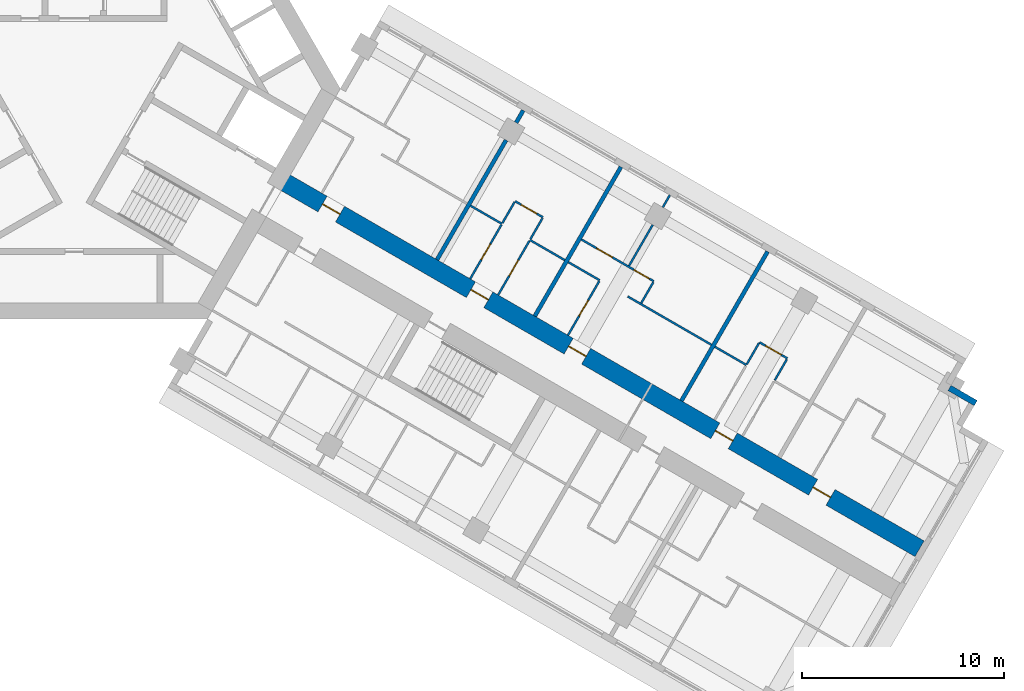
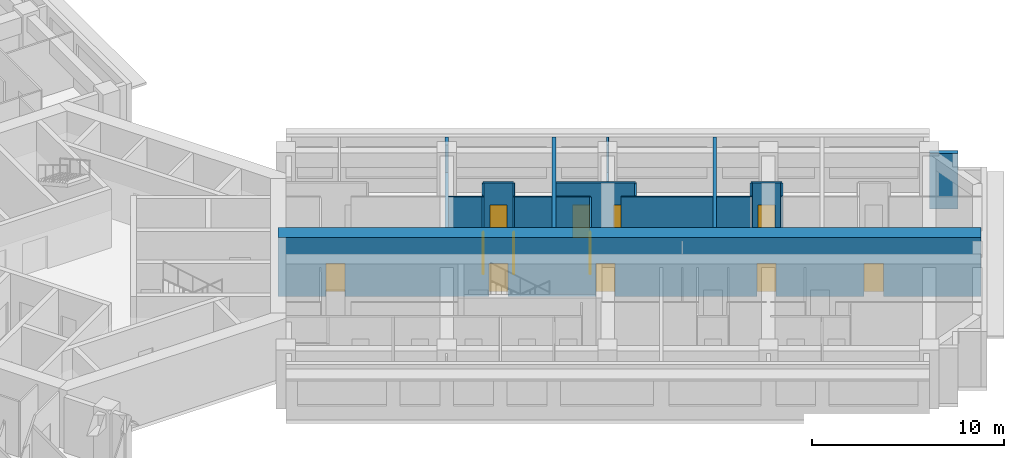
# One storey, part 12 of 15: 24 walls, 12 doors, 12 openings.
"""IFC4 building model written with IfcOpenShell, lengths in metres."""

import ifcopenshell
import ifcopenshell.guid

model = None  # the IFC model being written
_history = None  # IfcOwnerHistory: only IFC2X3 demands one
_inside = {}  # id of a spatial element -> (the spatial element, [elements in it])
_under = {}  # id of a project, library or spatial element -> (it, [spatial elements below it])
_declared = {}  # id of a project -> (the project, [libraries it declares])
_typed = {}  # id of a type object -> (the type object, [elements of that type])
_made_of = {}  # id of a material, layer set ... -> (it, [elements and type objects made of it])


def new_model(schema):
    """Start an empty IFC model of exactly this schema.

    Asked for "IFC4X3", IfcOpenShell would pick the latest addendum, in which some entities
    have other attributes; the version numbers below select the first issue.
    IFC2X3 requires an IfcOwnerHistory on every rooted entity: one is made here for all.
    """
    global model, _history
    if schema == "IFC4X3":
        model = ifcopenshell.file(schema_version=(4, 3, 0, 0))
    else:
        model = ifcopenshell.file(schema=schema)
    _inside.clear()
    _under.clear()
    _declared.clear()
    _typed.clear()
    _made_of.clear()
    _history = None
    if model.schema == "IFC2X3":
        org = make("IfcOrganization", Name="unknown")
        user = make(
            "IfcPersonAndOrganization",
            ThePerson=make("IfcPerson", FamilyName="unknown"),
            TheOrganization=org,
        )
        app = make(
            "IfcApplication",
            ApplicationDeveloper=org,
            Version="unknown",
            ApplicationFullName="unknown",
            ApplicationIdentifier="unknown",
        )
        _history = make(
            "IfcOwnerHistory",
            OwningUser=user,
            OwningApplication=app,
            ChangeAction="ADDED",
            CreationDate=0,
        )
    return model


def make(cls, **values):
    """One entity of the class cls with the attributes given. An attribute that is None is left unset."""
    return model.create_entity(
        cls, **{name: value for name, value in values.items() if value is not None}
    )


def rooted(cls, **values):
    """An entity with a GlobalId (a new one), such as an element, a storey or a relation."""
    return make(cls, GlobalId=ifcopenshell.guid.new(), OwnerHistory=_history, **values)


def si_unit(unit_type, name, prefix=None):
    """IfcSIUnit, for example si_unit("LENGTHUNIT", "METRE", prefix="MILLI")."""
    return make("IfcSIUnit", UnitType=unit_type, Prefix=prefix, Name=name)


def assignment(units):
    """IfcUnitAssignment: the units of a project."""
    return None if units is None else make("IfcUnitAssignment", Units=units)


def point(xyz):
    """IfcCartesianPoint."""
    return None if xyz is None else make("IfcCartesianPoint", Coordinates=xyz)


def direction(xyz):
    """IfcDirection."""
    return None if xyz is None else make("IfcDirection", DirectionRatios=xyz)


def frame(location, z_axis=None, x_axis=None):
    """IfcAxis2Placement3D, a coordinate frame: its origin and axes. An axis left out is left unset."""
    return make(
        "IfcAxis2Placement3D",
        Location=point(location),
        Axis=direction(z_axis),
        RefDirection=direction(x_axis),
    )


def frame_2d(location, x_axis=None):
    """IfcAxis2Placement2D, a coordinate frame in the plane: its origin and x axis."""
    return make(
        "IfcAxis2Placement2D", Location=point(location), RefDirection=direction(x_axis)
    )


def origin():
    """The frame at (0, 0, 0) with its axes left unset."""
    return frame((0.0, 0.0, 0.0))


def place(relative_to, where):
    """IfcLocalPlacement: puts the frame where relative to a parent placement (None: the world)."""
    return make(
        "IfcLocalPlacement", PlacementRelTo=relative_to, RelativePlacement=where
    )


def context(
    kind, dimensions, precision=None, world=None, true_north=None, identifier=None
):
    """IfcGeometricRepresentationContext, for example the 3D "Model" context."""
    return make(
        "IfcGeometricRepresentationContext",
        ContextIdentifier=identifier,
        ContextType=kind,
        CoordinateSpaceDimension=dimensions,
        Precision=precision,
        WorldCoordinateSystem=world,
        TrueNorth=true_north,
    )


def subcontext(parent, identifier, kind, view, scale=None):
    """IfcGeometricRepresentationSubContext, for example "Body" below "Model"."""
    return make(
        "IfcGeometricRepresentationSubContext",
        ContextIdentifier=identifier,
        ContextType=kind,
        ParentContext=parent,
        TargetScale=scale,
        TargetView=view,
    )


def project(units=None, contexts=None):
    """IfcProject with its units and contexts."""
    return rooted(
        "IfcProject",
        Name="project",
        RepresentationContexts=contexts,
        UnitsInContext=assignment(units),
    )


def spatial(cls, under=None, at=None, **own):
    """A site, building, storey or space (cls), placed at a placement, below another one or the project."""
    s = rooted(cls, ObjectPlacement=at, **own)
    if under is not None:
        _under.setdefault(under.id(), (under, []))[1].append(s)
    return s


def profile(cls, at=None, kind="AREA", **sizes):
    """A parametric profile (cls). Its sizes go by their IFC names, for example OverallWidth=200.0."""
    return make(cls, ProfileType=kind, Position=at, **sizes)


def rectangle(**sizes):
    """IfcRectangleProfileDef."""
    return profile("IfcRectangleProfileDef", **sizes)


def extrude(swept, where, along, depth):
    """IfcExtrudedAreaSolid: the profile swept, set in the frame where, extruded along a direction by depth."""
    return make(
        "IfcExtrudedAreaSolid",
        SweptArea=swept,
        Position=where,
        ExtrudedDirection=direction(along),
        Depth=depth,
    )


def shape(context_of_items, identifier, shape_type, items):
    """IfcShapeRepresentation: the items that make up one representation, for example the "Body"."""
    return make(
        "IfcShapeRepresentation",
        ContextOfItems=context_of_items,
        RepresentationIdentifier=identifier,
        RepresentationType=shape_type,
        Items=items,
    )


def material(Name=None, Category=None):
    """IfcMaterial."""
    return make("IfcMaterial", Name=Name, Category=Category)


def layer(
    of_material, thickness, ventilated=None, Name=None, Category=None, Priority=None
):
    """IfcMaterialLayer: one layer of a wall or slab, of a material (None: an air gap)."""
    return make(
        "IfcMaterialLayer",
        Material=of_material,
        LayerThickness=thickness,
        IsVentilated=ventilated,
        Name=Name,
        Category=Category,
        Priority=Priority,
    )


def layer_set(layers, Name=None):
    """IfcMaterialLayerSet."""
    return make("IfcMaterialLayerSet", MaterialLayers=layers, LayerSetName=Name)


def made_of(thing, what):
    """Note that an element or type object is made of a material, layer set ...; save() writes the relation."""
    if what is not None:
        _made_of.setdefault(what.id(), (what, []))[1].append(thing)
    return thing


def type_object(cls, material=None, **own):
    """A type object (cls), such as IfcWallType, which elements share."""
    return made_of(rooted(cls, **own), material)


def element(
    cls,
    number,
    at=None,
    inside=None,
    cuts=None,
    type_object=None,
    material=None,
    context=None,
    identifier="Body",
    shape_type=None,
    held_by="IfcProductDefinitionShape",
    body=None,
    shapes=None,
    **own,
):
    """One element of the class cls, such as IfcWall. Its Tag is "e" and its number.

    at: its placement. inside: the storey or other place that contains it. cuts: it is an
    opening in that element (IfcRelVoidsElement). A single representation is given by context,
    identifier, shape_type and body (its items); several are given by shapes. held_by: the class
    of the entity that holds the representations. save() writes the other relations.
    """
    e = rooted(cls, Tag="e%d" % number, ObjectPlacement=at, **own)
    if body is not None:
        shapes = [shape(context, identifier, shape_type, body)]
    if shapes is not None:
        e.Representation = make(held_by, Representations=shapes)
    if inside is not None:
        _inside.setdefault(inside.id(), (inside, []))[1].append(e)
    if cuts is not None:
        rooted(
            "IfcRelVoidsElement", RelatingBuildingElement=cuts, RelatedOpeningElement=e
        )
    if type_object is not None:
        _typed.setdefault(type_object.id(), (type_object, []))[1].append(e)
    return made_of(e, material)


def fill(opening, filler):
    """IfcRelFillsElement: the door or window that sits in an opening."""
    return rooted(
        "IfcRelFillsElement",
        RelatingOpeningElement=opening,
        RelatedBuildingElement=filler,
    )


def aggregate(whole, parts):
    """IfcRelAggregates: a whole, such as a stair, and the parts it consists of."""
    return rooted("IfcRelAggregates", RelatingObject=whole, RelatedObjects=parts)


def save(model, path):
    """Write the relations noted so far, then the file.

    IfcRelAggregates (storeys below a building ...), IfcRelContainedInSpatialStructure (elements
    in a storey), IfcRelDefinesByType, IfcRelAssociatesMaterial and IfcRelDeclares: one each for
    every whole, place, type object, material and project.
    """
    for whole, parts in _under.values():
        aggregate(whole, parts)
    for where, things in _inside.values():
        rooted(
            "IfcRelContainedInSpatialStructure",
            RelatedElements=things,
            RelatingStructure=where,
        )
    for kind, things in _typed.values():
        rooted("IfcRelDefinesByType", RelatedObjects=things, RelatingType=kind)
    for what, things in _made_of.values():
        rooted("IfcRelAssociatesMaterial", RelatedObjects=things, RelatingMaterial=what)
    for by, libraries in _declared.values():
        rooted("IfcRelDeclares", RelatingContext=by, RelatedDefinitions=libraries)
    model.write(path)


model = new_model("IFC4")

# Units and contexts
model_context = context("Model", 3, precision=1e-05, world=origin(), true_north=direction((0.0, 1.0)))
body_context = subcontext(model_context, "Body", "Model", "MODEL_VIEW")
ifc_project = project(units=[si_unit("LENGTHUNIT", "METRE"), si_unit("AREAUNIT", "SQUARE_METRE"), si_unit("VOLUMEUNIT", "CUBIC_METRE"), si_unit("PLANEANGLEUNIT", "RADIAN"), si_unit("MASSUNIT", "GRAM", prefix="KILO")], contexts=[model_context])

# Site, building, storey
site_placement = place(None, origin())
site = spatial("IfcSite", under=ifc_project, at=site_placement, CompositionType="ELEMENT")
building_placement = place(site_placement, origin())
building = spatial("IfcBuilding", under=site, at=building_placement, Name="Impinga Residences", CompositionType="ELEMENT")
storey_placement = place(building_placement, frame((0.0, 0.0, 113.5)))
storey = spatial("IfcBuildingStorey", under=building, at=storey_placement, Name="L27", CompositionType="ELEMENT", Elevation=113.5)

# Wall, openings, doors
ifc_material_1 = material(Name="Concrete C60/75", Category="concrete")
ifc_layer_1 = layer(ifc_material_1, 0.89990234375)
ifc_layer_set_1 = layer_set([ifc_layer_1], Name="Concrete C60/75")
wall_type_1 = type_object("IfcWallType", Name="BW2 corridor buttress wall, L24 to L44 900", PredefinedType="SHEAR", material=ifc_layer_set_1)
wall_1_placement = place(storey_placement, frame((10.153564453125, -4.4765625, 0.0), z_axis=(0.0, 0.0, 1.0), x_axis=(0.866027614434, -0.499996171023, 0.0)))
wall_1 = element("IfcWall", 1, at=wall_1_placement, inside=storey, type_object=wall_type_1, Name="Corridor wall BW2 EC L27", PredefinedType="SHEAR", context=body_context, shape_type="SweptSolid", body=[
    extrude(rectangle(XDim=36.699951171875, YDim=0.89990234375, at=frame_2d((18.35009765625, 0.0))), origin(), (0.0, 0.0, 1.0), 3.75),
])
opening_1_placement = place(wall_1_placement, frame((2.5, 0.0, 0.0)))
opening_1 = element("IfcOpeningElement", 2, at=opening_1_placement, cuts=wall_1, Name="Opening D1", PredefinedType="OPENING", context=body_context, shape_type="SweptSolid", body=[
    extrude(rectangle(XDim=1.0, YDim=2.10009765625, at=frame_2d((0.5, 1.050048828125))), frame((0.0, 0.4599609375, 0.0), z_axis=(0.0, -1.0, 0.0), x_axis=(1.0, 0.0, 0.0)), (0.0, 0.0, 1.0), 0.919921875),
])
opening_2_placement = place(wall_1_placement, frame((11.0, 0.0, 0.0)))
opening_2 = element("IfcOpeningElement", 3, at=opening_2_placement, cuts=wall_1, Name="Opening D1", PredefinedType="OPENING", context=body_context, shape_type="SweptSolid", body=[
    extrude(rectangle(XDim=1.0, YDim=2.10009765625, at=frame_2d((0.5, 1.050048828125))), frame((0.0, 0.4599609375, 0.0), z_axis=(0.0, -1.0, 0.0), x_axis=(1.0, 0.0, 0.0)), (0.0, 0.0, 1.0), 0.919921875),
])
opening_3_placement = place(wall_1_placement, frame((16.60009765625, 0.0, 0.0)))
opening_3 = element("IfcOpeningElement", 4, at=opening_3_placement, cuts=wall_1, Name="Opening D1", PredefinedType="OPENING", context=body_context, shape_type="SweptSolid", body=[
    extrude(rectangle(XDim=1.0, YDim=2.10009765625, at=frame_2d((0.5, 1.050048828125))), frame((0.0, 0.4599609375, 0.0), z_axis=(0.0, -1.0, 0.0), x_axis=(1.0, 0.0, 0.0)), (0.0, 0.0, 1.0), 0.919921875),
])
opening_4_placement = place(wall_1_placement, frame((25.0, 0.0, 0.0)))
opening_4 = element("IfcOpeningElement", 5, at=opening_4_placement, cuts=wall_1, Name="Opening D1", PredefinedType="OPENING", context=body_context, shape_type="SweptSolid", body=[
    extrude(rectangle(XDim=1.0, YDim=2.10009765625, at=frame_2d((0.5, 1.050048828125))), frame((0.0, 0.4599609375, 0.0), z_axis=(0.0, -1.0, 0.0), x_axis=(1.0, 0.0, 0.0)), (0.0, 0.0, 1.0), 0.919921875),
])
opening_5_placement = place(wall_1_placement, frame((30.60009765625, 0.0, 0.0)))
opening_5 = element("IfcOpeningElement", 6, at=opening_5_placement, cuts=wall_1, Name="Opening D1", PredefinedType="OPENING", context=body_context, shape_type="SweptSolid", body=[
    extrude(rectangle(XDim=1.0, YDim=2.10009765625, at=frame_2d((0.5, 1.050048828125))), frame((0.0, 0.4599609375, 0.0), z_axis=(0.0, -1.0, 0.0), x_axis=(1.0, 0.0, 0.0)), (0.0, 0.0, 1.0), 0.919921875),
])
ifc_material_2 = material(Name="Timber door set", Category="wood")
door_type_1 = type_object("IfcDoorType", Name="D1 apartment entrance door 1000x2100", OperationType="SINGLE_SWING_LEFT", PredefinedType="DOOR", material=ifc_material_2)
door_1_placement = place(opening_1_placement, origin())
door_1 = element("IfcDoor", 7, at=door_1_placement, inside=storey, type_object=door_type_1, Name="Apartment L27-EA1 entrance", OperationType="SINGLE_SWING_LEFT", OverallHeight=2.10009765625, OverallWidth=1.0, PredefinedType="DOOR", context=body_context, shape_type="SweptSolid", body=[
    extrude(rectangle(XDim=1.0, YDim=2.10009765625, at=frame_2d((0.5, 1.050048828125))), frame((0.0, 0.02490234375, 0.0), z_axis=(0.0, -1.0, 0.0), x_axis=(1.0, 0.0, 0.0)), (0.0, 0.0, 1.0), 0.050048828125),
])
fill(opening_1, door_1)
door_2_placement = place(opening_2_placement, origin())
door_2 = element("IfcDoor", 8, at=door_2_placement, inside=storey, type_object=door_type_1, Name="Apartment L27-EA2 entrance", OperationType="SINGLE_SWING_LEFT", OverallHeight=2.10009765625, OverallWidth=1.0, PredefinedType="DOOR", context=body_context, shape_type="SweptSolid", body=[
    extrude(rectangle(XDim=1.0, YDim=2.10009765625, at=frame_2d((0.5, 1.050048828125))), frame((0.0, 0.02490234375, 0.0), z_axis=(0.0, -1.0, 0.0), x_axis=(1.0, 0.0, 0.0)), (0.0, 0.0, 1.0), 0.050048828125),
])
fill(opening_2, door_2)
door_3_placement = place(opening_3_placement, origin())
door_3 = element("IfcDoor", 9, at=door_3_placement, inside=storey, type_object=door_type_1, Name="Apartment L27-EA3 entrance", OperationType="SINGLE_SWING_LEFT", OverallHeight=2.10009765625, OverallWidth=1.0, PredefinedType="DOOR", context=body_context, shape_type="SweptSolid", body=[
    extrude(rectangle(XDim=1.0, YDim=2.10009765625, at=frame_2d((0.5, 1.050048828125))), frame((0.0, 0.02490234375, 0.0), z_axis=(0.0, -1.0, 0.0), x_axis=(1.0, 0.0, 0.0)), (0.0, 0.0, 1.0), 0.050048828125),
])
fill(opening_3, door_3)
door_4_placement = place(opening_4_placement, origin())
door_4 = element("IfcDoor", 10, at=door_4_placement, inside=storey, type_object=door_type_1, Name="Apartment L27-EA4 entrance", OperationType="SINGLE_SWING_RIGHT", OverallHeight=2.10009765625, OverallWidth=1.0, PredefinedType="DOOR", context=body_context, shape_type="SweptSolid", body=[
    extrude(rectangle(XDim=1.0, YDim=2.10009765625, at=frame_2d((0.5, 1.050048828125))), frame((0.0, 0.02490234375, 0.0), z_axis=(0.0, -1.0, 0.0), x_axis=(1.0, 0.0, 0.0)), (0.0, 0.0, 1.0), 0.050048828125),
])
fill(opening_4, door_4)
door_5_placement = place(opening_5_placement, origin())
door_5 = element("IfcDoor", 11, at=door_5_placement, inside=storey, type_object=door_type_1, Name="Apartment L27-EA5 entrance", OperationType="SINGLE_SWING_RIGHT", OverallHeight=2.10009765625, OverallWidth=1.0, PredefinedType="DOOR", context=body_context, shape_type="SweptSolid", body=[
    extrude(rectangle(XDim=1.0, YDim=2.10009765625, at=frame_2d((0.5, 1.050048828125))), frame((0.0, 0.02490234375, 0.0), z_axis=(0.0, -1.0, 0.0), x_axis=(1.0, 0.0, 0.0)), (0.0, 0.0, 1.0), 0.050048828125),
])
fill(opening_5, door_5)

# Walls
ifc_material_3 = material(Name="Terracotta rainscreen on blockwork", Category="masonry")
ifc_layer_2 = layer(ifc_material_3, 0.300048828125)
ifc_layer_set_2 = layer_set([ifc_layer_2], Name="EW1 external wall, terracotta rainscreen on blockwork 300")
wall_type_2 = type_object("IfcWallType", Name="EW1 external wall, terracotta rainscreen on blockwork 300", PredefinedType="SOLIDWALL", material=ifc_layer_set_2)
wall_2_placement = place(storey_placement, frame((43.42333984375, -14.8515625, 0.0), z_axis=(0.0, 0.0, 1.0), x_axis=(0.866031096941, -0.499990139034, 0.0)))
element("IfcWall", 12, at=wall_2_placement, inside=storey, type_object=wall_type_2, Name="External wall EW1 L27", PredefinedType="SOLIDWALL", context=body_context, shape_type="SweptSolid", body=[
    extrude(rectangle(XDim=1.5, YDim=0.300048828125, at=frame_2d((0.75, 0.0))), origin(), (0.0, 0.0, 1.0), 3.530029296875),
])
ifc_material_4 = material(Name="Gypsum board on steel studs", Category="steel")
ifc_layer_3 = layer(ifc_material_4, 0.10009765625)
ifc_layer_set_3 = layer_set([ifc_layer_3], Name="Gypsum board on steel studs")
wall_type_3 = type_object("IfcWallType", Name="IP1 partition 100", PredefinedType="PARTITIONING", material=ifc_layer_set_3)
wall_3_placement = place(storey_placement, frame((19.6611328125, -5.808837890625, 0.0), z_axis=(0.0, 0.0, 1.0), x_axis=(0.866047807691, -0.499961193289, 0.0)))
element("IfcWall", 13, at=wall_3_placement, inside=storey, type_object=wall_type_3, Name="Partition L27-EA2:DIV0", PredefinedType="PARTITIONING", context=body_context, shape_type="SweptSolid", body=[
    extrude(rectangle(XDim=1.800048828125, YDim=0.10009765625, at=frame_2d((0.89990234375, 0.0))), origin(), (0.0, 0.0, 1.0), 3.530029296875),
])
wall_4_placement = place(storey_placement, frame((22.605712890625, -7.5087890625, 0.0), z_axis=(0.0, 0.0, 1.0), x_axis=(0.866010750942, -0.50002537861, 0.0)))
element("IfcWall", 14, at=wall_4_placement, inside=storey, type_object=wall_type_3, Name="Partition L27-EA2:DIV1", PredefinedType="PARTITIONING", context=body_context, shape_type="SweptSolid", body=[
    extrude(rectangle(XDim=2.0, YDim=0.10009765625, at=frame_2d((1.0, 0.0))), origin(), (0.0, 0.0, 1.0), 3.530029296875),
])

# Wall, opening, door
wall_5_placement = place(storey_placement, frame((21.8701171875, -5.5830078125, 0.0), z_axis=(0.0, 0.0, 1.0), x_axis=(0.865989903783, -0.500061482766, 0.0)))
wall_5 = element("IfcWall", 15, at=wall_5_placement, inside=storey, type_object=wall_type_3, Name="Partition L27-EA2:STRIP", PredefinedType="PARTITIONING", context=body_context, shape_type="SweptSolid", body=[
    extrude(rectangle(XDim=1.599853515625, YDim=0.10009765625, at=frame_2d((0.7998046875, 0.0))), origin(), (0.0, 0.0, 1.0), 3.530029296875),
])
opening_6_placement = place(wall_5_placement, frame((0.35009765625, 0.0, 0.0)))
opening_6 = element("IfcOpeningElement", 16, at=opening_6_placement, cuts=wall_5, Name="Opening D2", PredefinedType="OPENING", context=body_context, shape_type="SweptSolid", body=[
    extrude(rectangle(XDim=0.89990234375, YDim=2.10009765625, at=frame_2d((0.449951171875, 1.050048828125))), frame((0.0, 0.06005859375, 0.0), z_axis=(0.0, -1.0, 0.0), x_axis=(1.0, 0.0, 0.0)), (0.0, 0.0, 1.0), 0.1201171875),
])
door_type_2 = type_object("IfcDoorType", Name="D2 internal door 900x2100", OperationType="SINGLE_SWING_LEFT", PredefinedType="DOOR", material=ifc_material_2)
door_6_placement = place(opening_6_placement, origin())
door_6 = element("IfcDoor", 17, at=door_6_placement, inside=storey, type_object=door_type_2, Name="Apartment L27-EA2 room door", OperationType="SINGLE_SWING_LEFT", OverallHeight=2.10009765625, OverallWidth=0.89990234375, PredefinedType="DOOR", context=body_context, shape_type="SweptSolid", body=[
    extrude(rectangle(XDim=0.89990234375, YDim=2.10009765625, at=frame_2d((0.449951171875, 1.050048828125))), frame((0.0, 0.02490234375, 0.0), z_axis=(0.0, -1.0, 0.0), x_axis=(1.0, 0.0, 0.0)), (0.0, 0.0, 1.0), 0.050048828125),
])
fill(opening_6, door_6)

# Walls
wall_6_placement = place(storey_placement, frame((21.2451171875, -6.66552734375, 0.0), z_axis=(0.0, 0.0, 1.0), x_axis=(0.499880961361, 0.866094119867, 0.0)))
element("IfcWall", 18, at=wall_6_placement, inside=storey, type_object=wall_type_3, Name="Partition L27-EA2:SE0", PredefinedType="PARTITIONING", context=body_context, shape_type="SweptSolid", body=[
    extrude(rectangle(XDim=1.199951171875, YDim=0.10009765625, at=frame_2d((0.60009765625, 0.0))), origin(), (0.0, 0.0, 1.0), 3.530029296875),
])
wall_7_placement = place(storey_placement, frame((22.630615234375, -7.465576171875, 0.0), z_axis=(0.0, 0.0, 1.0), x_axis=(0.500033551112, 0.866006032174, 0.0)))
element("IfcWall", 19, at=wall_7_placement, inside=storey, type_object=wall_type_3, Name="Partition L27-EA2:SE1", PredefinedType="PARTITIONING", context=body_context, shape_type="SweptSolid", body=[
    extrude(rectangle(XDim=1.2001953125, YDim=0.10009765625, at=frame_2d((0.60009765625, 0.0))), origin(), (0.0, 0.0, 1.0), 3.530029296875),
])

# Wall, opening, door
wall_8_placement = place(storey_placement, frame((19.64501953125, -9.436767578125, 0.0), z_axis=(0.0, 0.0, 1.0), x_axis=(0.500026960575, 0.86600983753, 0.0)))
wall_8 = element("IfcWall", 20, at=wall_8_placement, inside=storey, type_object=wall_type_3, Name="Partition L27-EA2:IB1", PredefinedType="PARTITIONING", context=body_context, shape_type="SweptSolid", body=[
    extrude(rectangle(XDim=3.099853515625, YDim=0.10009765625, at=frame_2d((1.5498046875, 0.0))), origin(), (0.0, 0.0, 1.0), 3.530029296875),
])
opening_7_placement = place(wall_8_placement, frame((1.10009765625, 0.0, 0.0)))
opening_7 = element("IfcOpeningElement", 21, at=opening_7_placement, cuts=wall_8, Name="Opening D2", PredefinedType="OPENING", context=body_context, shape_type="SweptSolid", body=[
    extrude(rectangle(XDim=0.89990234375, YDim=2.10009765625, at=frame_2d((0.449951171875, 1.050048828125))), frame((0.0, 0.06005859375, 0.0), z_axis=(0.0, -1.0, 0.0), x_axis=(1.0, 0.0, 0.0)), (0.0, 0.0, 1.0), 0.1201171875),
])
door_7_placement = place(opening_7_placement, origin())
door_7 = element("IfcDoor", 22, at=door_7_placement, inside=storey, type_object=door_type_2, Name="Apartment L27-EA2 bathroom door", OperationType="SINGLE_SWING_LEFT", OverallHeight=2.10009765625, OverallWidth=0.89990234375, PredefinedType="DOOR", context=body_context, shape_type="SweptSolid", body=[
    extrude(rectangle(XDim=0.89990234375, YDim=2.10009765625, at=frame_2d((0.449951171875, 1.050048828125))), frame((0.0, 0.02490234375, 0.0), z_axis=(0.0, -1.0, 0.0), x_axis=(1.0, 0.0, 0.0)), (0.0, 0.0, 1.0), 0.050048828125),
])
fill(opening_7, door_7)

wall_9_placement = place(storey_placement, frame((21.03076171875, -10.23681640625, 0.0), z_axis=(0.0, 0.0, 1.0), x_axis=(0.500026960575, 0.86600983753, 0.0)))
wall_9 = element("IfcWall", 23, at=wall_9_placement, inside=storey, type_object=wall_type_3, Name="Partition L27-EA2:IB2", PredefinedType="PARTITIONING", context=body_context, shape_type="SweptSolid", body=[
    extrude(rectangle(XDim=3.099853515625, YDim=0.10009765625, at=frame_2d((1.5498046875, 0.0))), origin(), (0.0, 0.0, 1.0), 3.530029296875),
])
opening_8_placement = place(wall_9_placement, frame((1.10009765625, 0.0, 0.0)))
opening_8 = element("IfcOpeningElement", 24, at=opening_8_placement, cuts=wall_9, Name="Opening D2", PredefinedType="OPENING", context=body_context, shape_type="SweptSolid", body=[
    extrude(rectangle(XDim=0.89990234375, YDim=2.10009765625, at=frame_2d((0.449951171875, 1.050048828125))), frame((0.0, 0.06005859375, 0.0), z_axis=(0.0, -1.0, 0.0), x_axis=(1.0, 0.0, 0.0)), (0.0, 0.0, 1.0), 0.1201171875),
])
door_8_placement = place(opening_8_placement, origin())
door_8 = element("IfcDoor", 25, at=door_8_placement, inside=storey, type_object=door_type_2, Name="Apartment L27-EA2 WC door", OperationType="SINGLE_SWING_LEFT", OverallHeight=2.10009765625, OverallWidth=0.89990234375, PredefinedType="DOOR", context=body_context, shape_type="SweptSolid", body=[
    extrude(rectangle(XDim=0.89990234375, YDim=2.10009765625, at=frame_2d((0.449951171875, 1.050048828125))), frame((0.0, 0.02490234375, 0.0), z_axis=(0.0, -1.0, 0.0), x_axis=(1.0, 0.0, 0.0)), (0.0, 0.0, 1.0), 0.050048828125),
])
fill(opening_8, door_8)

# Walls
wall_10_placement = place(storey_placement, frame((24.510986328125, -8.60888671875, 0.0), z_axis=(0.0, 0.0, 1.0), x_axis=(0.866047807691, -0.499961193289, 0.0)))
element("IfcWall", 26, at=wall_10_placement, inside=storey, type_object=wall_type_3, Name="Partition L27-EA3:DIV0", PredefinedType="PARTITIONING", context=body_context, shape_type="SweptSolid", body=[
    extrude(rectangle(XDim=1.800048828125, YDim=0.10009765625, at=frame_2d((0.89990234375, 0.0))), origin(), (0.0, 0.0, 1.0), 3.530029296875),
])
wall_11_placement = place(storey_placement, frame((27.45556640625, -10.308837890625, 0.0), z_axis=(0.0, 0.0, 1.0), x_axis=(0.866024647952, -0.500001309137, 0.0)))
element("IfcWall", 27, at=wall_11_placement, inside=storey, type_object=wall_type_3, Name="Partition L27-EA3:DIV1", PredefinedType="PARTITIONING", context=body_context, shape_type="SweptSolid", body=[
    extrude(rectangle(XDim=4.7998046875, YDim=0.10009765625, at=frame_2d((2.39990234375, 0.0))), origin(), (0.0, 0.0, 1.0), 3.530029296875),
])

# Wall, openings, doors
wall_12_placement = place(storey_placement, frame((25.160888671875, -7.48291015625, 0.0), z_axis=(0.0, 0.0, 1.0), x_axis=(0.866004344652, -0.500036473714, 0.0)))
wall_12 = element("IfcWall", 28, at=wall_12_placement, inside=storey, type_object=wall_type_3, Name="Partition L27-EA3:STRIP", PredefinedType="PARTITIONING", context=body_context, shape_type="SweptSolid", body=[
    extrude(rectangle(XDim=4.150146484375, YDim=0.10009765625, at=frame_2d((2.0751953125, 0.0))), origin(), (0.0, 0.0, 1.0), 3.530029296875),
])
opening_9_placement = place(wall_12_placement, frame((0.875, 0.0, 0.0)))
opening_9 = element("IfcOpeningElement", 29, at=opening_9_placement, cuts=wall_12, Name="Opening D2", PredefinedType="OPENING", context=body_context, shape_type="SweptSolid", body=[
    extrude(rectangle(XDim=0.89990234375, YDim=2.10009765625, at=frame_2d((0.449951171875, 1.050048828125))), frame((0.0, 0.06005859375, 0.0), z_axis=(0.0, -1.0, 0.0), x_axis=(1.0, 0.0, 0.0)), (0.0, 0.0, 1.0), 0.1201171875),
])
opening_10_placement = place(wall_12_placement, frame((3.0, 0.0, 0.0)))
opening_10 = element("IfcOpeningElement", 30, at=opening_10_placement, cuts=wall_12, Name="Opening D2", PredefinedType="OPENING", context=body_context, shape_type="SweptSolid", body=[
    extrude(rectangle(XDim=0.89990234375, YDim=2.10009765625, at=frame_2d((0.449951171875, 1.050048828125))), frame((0.0, 0.06005859375, 0.0), z_axis=(0.0, -1.0, 0.0), x_axis=(1.0, 0.0, 0.0)), (0.0, 0.0, 1.0), 0.1201171875),
])
door_9_placement = place(opening_9_placement, origin())
door_9 = element("IfcDoor", 31, at=door_9_placement, inside=storey, type_object=door_type_2, Name="Apartment L27-EA3 room door", OperationType="SINGLE_SWING_LEFT", OverallHeight=2.10009765625, OverallWidth=0.89990234375, PredefinedType="DOOR", context=body_context, shape_type="SweptSolid", body=[
    extrude(rectangle(XDim=0.89990234375, YDim=2.10009765625, at=frame_2d((0.449951171875, 1.050048828125))), frame((0.0, 0.02490234375, 0.0), z_axis=(0.0, -1.0, 0.0), x_axis=(1.0, 0.0, 0.0)), (0.0, 0.0, 1.0), 0.050048828125),
])
fill(opening_9, door_9)
door_10_placement = place(opening_10_placement, origin())
door_10 = element("IfcDoor", 32, at=door_10_placement, inside=storey, type_object=door_type_2, Name="Apartment L27-EA3 room door", OperationType="SINGLE_SWING_RIGHT", OverallHeight=2.10009765625, OverallWidth=0.89990234375, PredefinedType="DOOR", context=body_context, shape_type="SweptSolid", body=[
    extrude(rectangle(XDim=0.89990234375, YDim=2.10009765625, at=frame_2d((0.449951171875, 1.050048828125))), frame((0.0, 0.02490234375, 0.0), z_axis=(0.0, -1.0, 0.0), x_axis=(1.0, 0.0, 0.0)), (0.0, 0.0, 1.0), 0.050048828125),
])
fill(opening_10, door_10)

# Wall
wall_13_placement = place(storey_placement, frame((28.1298828125, -10.640625, 0.0), z_axis=(0.0, 0.0, 1.0), x_axis=(0.500033551112, 0.866006032174, 0.0)))
element("IfcWall", 33, at=wall_13_placement, inside=storey, type_object=wall_type_3, Name="Partition L27-EA3:SE1", PredefinedType="PARTITIONING", context=body_context, shape_type="SweptSolid", body=[
    extrude(rectangle(XDim=1.2001953125, YDim=0.10009765625, at=frame_2d((0.60009765625, 0.0))), origin(), (0.0, 0.0, 1.0), 3.530029296875),
])

# Wall, opening, door
wall_14_placement = place(storey_placement, frame((24.494873046875, -12.23681640625, 0.0), z_axis=(0.0, 0.0, 1.0), x_axis=(0.500026960575, 0.86600983753, 0.0)))
wall_14 = element("IfcWall", 34, at=wall_14_placement, inside=storey, type_object=wall_type_3, Name="Partition L27-EA3:IB1", PredefinedType="PARTITIONING", context=body_context, shape_type="SweptSolid", body=[
    extrude(rectangle(XDim=3.099853515625, YDim=0.10009765625, at=frame_2d((1.5498046875, 0.0))), origin(), (0.0, 0.0, 1.0), 3.530029296875),
])
opening_11_placement = place(wall_14_placement, frame((1.10009765625, 0.0, 0.0)))
opening_11 = element("IfcOpeningElement", 35, at=opening_11_placement, cuts=wall_14, Name="Opening D2", PredefinedType="OPENING", context=body_context, shape_type="SweptSolid", body=[
    extrude(rectangle(XDim=0.89990234375, YDim=2.10009765625, at=frame_2d((0.449951171875, 1.050048828125))), frame((0.0, 0.06005859375, 0.0), z_axis=(0.0, -1.0, 0.0), x_axis=(1.0, 0.0, 0.0)), (0.0, 0.0, 1.0), 0.1201171875),
])
door_11_placement = place(opening_11_placement, origin())
door_11 = element("IfcDoor", 36, at=door_11_placement, inside=storey, type_object=door_type_2, Name="Apartment L27-EA3 bathroom door", OperationType="SINGLE_SWING_LEFT", OverallHeight=2.10009765625, OverallWidth=0.89990234375, PredefinedType="DOOR", context=body_context, shape_type="SweptSolid", body=[
    extrude(rectangle(XDim=0.89990234375, YDim=2.10009765625, at=frame_2d((0.449951171875, 1.050048828125))), frame((0.0, 0.02490234375, 0.0), z_axis=(0.0, -1.0, 0.0), x_axis=(1.0, 0.0, 0.0)), (0.0, 0.0, 1.0), 0.050048828125),
])
fill(opening_11, door_11)

# Walls
wall_15_placement = place(storey_placement, frame((27.524169921875, -8.789794921875, 0.0), z_axis=(0.0, 0.0, 1.0), x_axis=(0.500016218704, 0.866016039709, 0.0)))
element("IfcWall", 37, at=wall_15_placement, inside=storey, type_object=wall_type_3, Name="Partition L27-EA3:OB1", PredefinedType="PARTITIONING", context=body_context, shape_type="SweptSolid", body=[
    extrude(rectangle(XDim=2.35009765625, YDim=0.10009765625, at=frame_2d((1.175048828125, 0.0))), origin(), (0.0, 0.0, 1.0), 2.47998046875),
])
wall_16_placement = place(storey_placement, frame((29.19921875, -5.888427734375, 0.0), z_axis=(0.0, 0.0, 1.0), x_axis=(0.500114896893, 0.865959057869, 0.0)))
element("IfcWall", 38, at=wall_16_placement, inside=storey, type_object=wall_type_3, Name="Partition L27-EA3:OB1b", PredefinedType="PARTITIONING", context=body_context, shape_type="SweptSolid", body=[
    extrude(rectangle(XDim=0.699951171875, YDim=0.10009765625, at=frame_2d((0.35009765625, 0.0))), origin(), (0.0, 0.0, 1.0), 3.530029296875),
])
wall_17_placement = place(storey_placement, frame((31.78564453125, -12.808837890625, 0.0), z_axis=(0.0, 0.0, 1.0), x_axis=(0.866047807691, -0.499961193289, 0.0)))
element("IfcWall", 39, at=wall_17_placement, inside=storey, type_object=wall_type_3, Name="Partition L27-EA4:DIV0", PredefinedType="PARTITIONING", context=body_context, shape_type="SweptSolid", body=[
    extrude(rectangle(XDim=1.800048828125, YDim=0.10009765625, at=frame_2d((0.89990234375, 0.0))), origin(), (0.0, 0.0, 1.0), 3.530029296875),
])

# Wall, opening, door
wall_18_placement = place(storey_placement, frame((33.994384765625, -12.5830078125, 0.0), z_axis=(0.0, 0.0, 1.0), x_axis=(0.866028054938, -0.499995408039, 0.0)))
wall_18 = element("IfcWall", 40, at=wall_18_placement, inside=storey, type_object=wall_type_3, Name="Partition L27-EA4:STRIP", PredefinedType="PARTITIONING", context=body_context, shape_type="SweptSolid", body=[
    extrude(rectangle(XDim=1.60009765625, YDim=0.10009765625, at=frame_2d((0.800048828125, 0.0))), origin(), (0.0, 0.0, 1.0), 3.530029296875),
])
opening_12_placement = place(wall_18_placement, frame((0.35009765625, 0.0, 0.0)))
opening_12 = element("IfcOpeningElement", 41, at=opening_12_placement, cuts=wall_18, Name="Opening D2", PredefinedType="OPENING", context=body_context, shape_type="SweptSolid", body=[
    extrude(rectangle(XDim=0.89990234375, YDim=2.10009765625, at=frame_2d((0.449951171875, 1.050048828125))), frame((0.0, 0.06005859375, 0.0), z_axis=(0.0, -1.0, 0.0), x_axis=(1.0, 0.0, 0.0)), (0.0, 0.0, 1.0), 0.1201171875),
])
door_12_placement = place(opening_12_placement, origin())
door_12 = element("IfcDoor", 42, at=door_12_placement, inside=storey, type_object=door_type_2, Name="Apartment L27-EA4 room door", OperationType="SINGLE_SWING_LEFT", OverallHeight=2.10009765625, OverallWidth=0.89990234375, PredefinedType="DOOR", context=body_context, shape_type="SweptSolid", body=[
    extrude(rectangle(XDim=0.89990234375, YDim=2.10009765625, at=frame_2d((0.449951171875, 1.050048828125))), frame((0.0, 0.02490234375, 0.0), z_axis=(0.0, -1.0, 0.0), x_axis=(1.0, 0.0, 0.0)), (0.0, 0.0, 1.0), 0.050048828125),
])
fill(opening_12, door_12)

# Walls
wall_19_placement = place(storey_placement, frame((33.369384765625, -13.66552734375, 0.0), z_axis=(0.0, 0.0, 1.0), x_axis=(0.500033551112, 0.866006032174, 0.0)))
element("IfcWall", 43, at=wall_19_placement, inside=storey, type_object=wall_type_3, Name="Partition L27-EA4:SE0", PredefinedType="PARTITIONING", context=body_context, shape_type="SweptSolid", body=[
    extrude(rectangle(XDim=1.2001953125, YDim=0.10009765625, at=frame_2d((0.60009765625, 0.0))), origin(), (0.0, 0.0, 1.0), 3.530029296875),
])
wall_20_placement = place(storey_placement, frame((34.755126953125, -14.465576171875, 0.0), z_axis=(0.0, 0.0, 1.0), x_axis=(0.499880961361, 0.866094119867, 0.0)))
element("IfcWall", 44, at=wall_20_placement, inside=storey, type_object=wall_type_3, Name="Partition L27-EA4:SE1", PredefinedType="PARTITIONING", context=body_context, shape_type="SweptSolid", body=[
    extrude(rectangle(XDim=1.199951171875, YDim=0.10009765625, at=frame_2d((0.60009765625, 0.0))), origin(), (0.0, 0.0, 1.0), 3.530029296875),
])
ifc_material_5 = material(Name="Concrete blockwork", Category="masonry")
ifc_layer_4 = layer(ifc_material_5, 0.199951171875)
ifc_layer_set_4 = layer_set([ifc_layer_4], Name="PW1 party wall between apartments 200")
wall_type_4 = type_object("IfcWallType", Name="PW1 party wall between apartments 200", PredefinedType="SOLIDWALL", material=ifc_layer_set_4)
wall_21_placement = place(storey_placement, frame((17.99951171875, -8.48681640625, 0.0), z_axis=(0.0, 0.0, 1.0), x_axis=(0.499999086063, 0.866025931445, 0.0)))
element("IfcWall", 45, at=wall_21_placement, inside=storey, type_object=wall_type_4, Name="Party wall between apartments L27-EA1:PARTY", PredefinedType="SOLIDWALL", context=body_context, shape_type="SweptSolid", body=[
    extrude(rectangle(XDim=6.85009765625, YDim=0.199951171875, at=frame_2d((3.425048828125, 0.0))), origin(), (0.0, 0.0, 1.0), 2.47998046875),
])
wall_22_placement = place(storey_placement, frame((21.924560546875, -1.6884765625, 0.0), z_axis=(0.0, 0.0, 1.0), x_axis=(0.500114896893, 0.865959057869, 0.0)))
element("IfcWall", 46, at=wall_22_placement, inside=storey, type_object=wall_type_4, Name="Party wall between apartments L27-EA1:PARTYb", PredefinedType="SOLIDWALL", context=body_context, shape_type="SweptSolid", body=[
    extrude(rectangle(XDim=0.699951171875, YDim=0.199951171875, at=frame_2d((0.35009765625, 0.0))), origin(), (0.0, 0.0, 1.0), 3.530029296875),
])
for number, where, z_axis, x_axis, name in (
    (47, (22.849365234375, -11.286865234375, 0.0), (0.0, 0.0, 1.0), (0.499990227581, 0.86603104582, 0.0), "Party wall between apartments L27-EA2:PARTY"),
    (48, (30.1240234375, -15.48681640625, 0.0), (0.0, 0.0, 1.0), (0.499990227581, 0.86603104582, 0.0), "Party wall between apartments L27-EA3:PARTY"),
):
    element("IfcWall", number, at=place(storey_placement, frame(where, z_axis=z_axis, x_axis=x_axis)), inside=storey, type_object=wall_type_4, Name=name, PredefinedType="SOLIDWALL", context=body_context, shape_type="SweptSolid", body=[
        extrude(rectangle(XDim=8.550048828125, YDim=0.199951171875, at=frame_2d((4.27490234375, 0.0))), origin(), (0.0, 0.0, 1.0), 3.530029296875),
    ])

save(model, "model.ifc")
